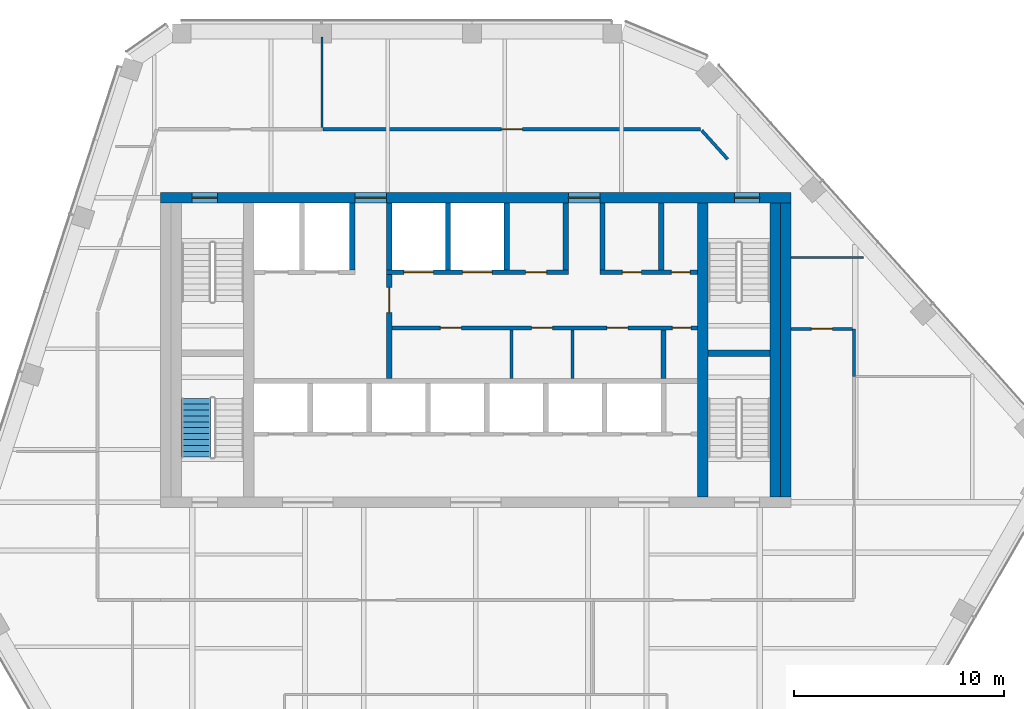
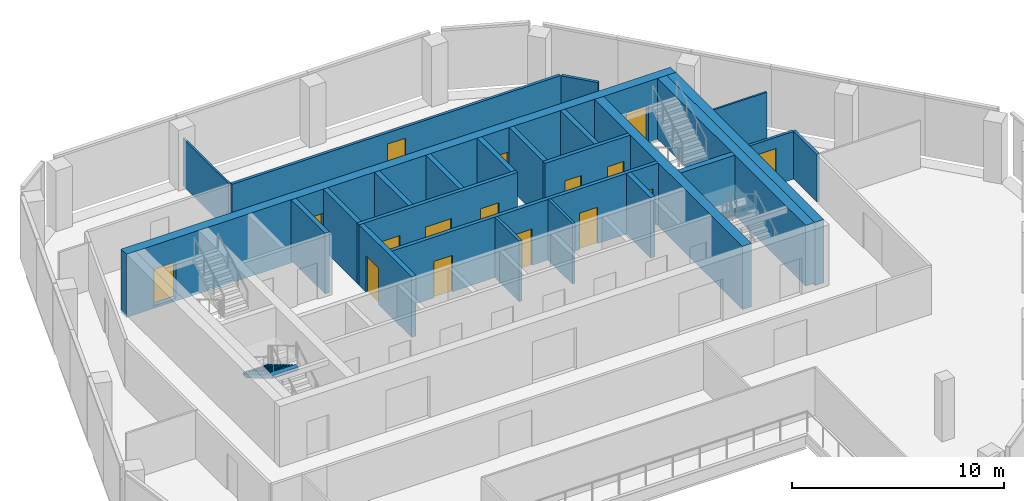
# One storey, part 9 of 15: 25 walls, 16 doors, 1 stair flight, 16 openings, 1 element without a shape of its own.
"""IFC4 building model written with IfcOpenShell, lengths in metres."""

from ifc_helpers import new_model, si_unit, direction, frame, frame_2d, origin, place, context, subcontext, project, spatial, polyline, rectangle, outline, extrude, material, layer, layer_set, type_object, element, fill, aggregate, save


model = new_model("IFC4")

# Units and contexts
model_context = context("Model", 3, precision=1e-05, world=origin(), true_north=direction((0.0, 1.0)))
body_context = subcontext(model_context, "Body", "Model", "MODEL_VIEW")
ifc_project = project(units=[si_unit("LENGTHUNIT", "METRE"), si_unit("AREAUNIT", "SQUARE_METRE"), si_unit("VOLUMEUNIT", "CUBIC_METRE"), si_unit("PLANEANGLEUNIT", "RADIAN"), si_unit("MASSUNIT", "GRAM", prefix="KILO")], contexts=[model_context])

# Site, building, storey
site_placement = place(None, origin())
site = spatial("IfcSite", under=ifc_project, at=site_placement, CompositionType="ELEMENT")
building_placement = place(site_placement, origin())
building = spatial("IfcBuilding", under=site, at=building_placement, Name="Isthmus Gate Tower", CompositionType="ELEMENT")
storey_placement = place(building_placement, frame((0.0, 0.0, 293.800048828125)))
storey = spatial("IfcBuildingStorey", under=building, at=storey_placement, Name="L75", CompositionType="ELEMENT", Elevation=293.800048828125)

# Wall
ifc_material_1 = material(Name="Gypsum board on steel studs, fire-rated", Category="steel")
ifc_layer_1 = layer(ifc_material_1, 0.14990234375)
ifc_layer_set_1 = layer_set([ifc_layer_1], Name="CORRIDOR WALL 150 60 MIN")
wall_type_1 = type_object("IfcWallType", Name="CORRIDOR WALL 150 60 MIN", PredefinedType="PARTITIONING", material=ifc_layer_set_1)
wall_1_placement = place(storey_placement, frame((18.0, 8.5, 0.0), z_axis=(0.0, 0.0, 1.0), x_axis=(0.0, -1.0, 0.0)))
element("IfcWall", 1, at=wall_1_placement, inside=storey, type_object=wall_type_1, Name="L75 Corridor Wall 150 60 Min", PredefinedType="PARTITIONING", context=body_context, shape_type="SweptSolid", body=[
    extrude(rectangle(XDim=2.262939453125, YDim=0.14990234375, at=frame_2d((1.13134765625, 0.0))), origin(), (0.0, 0.0, 1.0), 2.750732421875),
])

# Wall, opening, door
wall_2_placement = place(storey_placement, frame((-7.260009765625, 18.0, 0.0), z_axis=(0.0, 0.0, 1.0), x_axis=(1.0, 0.0, 0.0)))
wall_2 = element("IfcWall", 2, at=wall_2_placement, inside=storey, type_object=wall_type_1, Name="L75 Corridor Wall 150 60 Min", PredefinedType="PARTITIONING", context=body_context, shape_type="SweptSolid", body=[
    extrude(rectangle(XDim=17.9619140625, YDim=0.14990234375, at=frame_2d((8.98095703125, 0.0))), origin(), (0.0, 0.0, 1.0), 2.750732421875),
])
opening_1_placement = place(wall_2_placement, frame((8.48095703125, 0.0, 0.0)))
opening_1 = element("IfcOpeningElement", 3, at=opening_1_placement, cuts=wall_2, Name="Opening DT-T6D-02", PredefinedType="OPENING", context=body_context, shape_type="SweptSolid", body=[
    extrude(rectangle(XDim=1.0, YDim=2.10009765625, at=frame_2d((0.5, 1.050048828125))), frame((0.0, 0.0849609375, 0.0), z_axis=(0.0, -1.0, 0.0), x_axis=(1.0, 0.0, 0.0)), (0.0, 0.0, 1.0), 0.169921875),
])
ifc_material_2 = material(Name="Solid core timber door leaf, fire-rated", Category="wood")
door_type_1 = type_object("IfcDoorType", Name="FIRE DOOR ROOM 1000 X 2100 60 MIN", OperationType="SINGLE_SWING_LEFT", PredefinedType="DOOR", material=ifc_material_2)
door_1_placement = place(opening_1_placement, origin())
door_1 = element("IfcDoor", 4, at=door_1_placement, inside=storey, type_object=door_type_1, Name="L75 room door", OperationType="SINGLE_SWING_RIGHT", OverallHeight=2.10009765625, OverallWidth=1.0, PredefinedType="DOOR", context=body_context, shape_type="SweptSolid", body=[
    extrude(rectangle(XDim=1.0, YDim=2.10009765625, at=frame_2d((0.5, 1.050048828125))), frame((0.0, 0.02490234375, 0.0), z_axis=(0.0, -1.0, 0.0), x_axis=(1.0, 0.0, 0.0)), (0.0, 0.0, 1.0), 0.050048828125),
])
fill(opening_1, door_1)

# Wall
wall_3_placement = place(storey_placement, frame((10.752197265625, 17.9443359375, 0.0), z_axis=(0.0, 0.0, 1.0), x_axis=(0.669074609711, -0.743195241266, 0.0)))
element("IfcWall", 5, at=wall_3_placement, inside=storey, type_object=wall_type_1, Name="L75 Corridor Wall 150 60 Min", PredefinedType="PARTITIONING", context=body_context, shape_type="SweptSolid", body=[
    extrude(rectangle(XDim=1.84130859375, YDim=0.14990234375, at=frame_2d((0.920654296875, 0.0))), origin(), (0.0, 0.0, 1.0), 2.750732421875),
])

# Wall, opening, door
wall_4_placement = place(storey_placement, frame((15.0, 8.5, 0.0), z_axis=(0.0, 0.0, 1.0), x_axis=(1.0, 0.0, 0.0)))
wall_4 = element("IfcWall", 6, at=wall_4_placement, inside=storey, type_object=wall_type_1, Name="L75 Corridor Wall 150 60 Min", PredefinedType="PARTITIONING", context=body_context, shape_type="SweptSolid", body=[
    extrude(rectangle(XDim=2.925048828125, YDim=0.14990234375, at=frame_2d((1.46240234375, 0.0))), origin(), (0.0, 0.0, 1.0), 2.750732421875),
])
opening_2_placement = place(wall_4_placement, frame((0.96240234375, 0.0, 0.0)))
opening_2 = element("IfcOpeningElement", 7, at=opening_2_placement, cuts=wall_4, Name="Opening DT-T6D-04", PredefinedType="OPENING", context=body_context, shape_type="SweptSolid", body=[
    extrude(rectangle(XDim=1.0, YDim=2.10009765625, at=frame_2d((0.5, 1.050048828125))), frame((0.0, 0.0849609375, 0.0), z_axis=(0.0, -1.0, 0.0), x_axis=(1.0, 0.0, 0.0)), (0.0, 0.0, 1.0), 0.169921875),
])
door_2_placement = place(opening_2_placement, origin())
door_2 = element("IfcDoor", 8, at=door_2_placement, inside=storey, type_object=door_type_1, Name="L75 room door", OperationType="SINGLE_SWING_RIGHT", OverallHeight=2.10009765625, OverallWidth=1.0, PredefinedType="DOOR", context=body_context, shape_type="SweptSolid", body=[
    extrude(rectangle(XDim=1.0, YDim=2.10009765625, at=frame_2d((0.5, 1.050048828125))), frame((0.0, 0.02490234375, 0.0), z_axis=(0.0, -1.0, 0.0), x_axis=(1.0, 0.0, 0.0)), (0.0, 0.0, 1.0), 0.050048828125),
])
fill(opening_2, door_2)

ifc_material_3 = material(Name="Fire-rated blockwork masonry, 15 MPa", Category="masonry")
ifc_layer_2 = layer(ifc_material_3, 0.25)
ifc_layer_set_2 = layer_set([ifc_layer_2], Name="FIRE-FIGHTING LOBBY WALL 250 90 MIN")
wall_type_2 = type_object("IfcWallType", Name="FIRE-FIGHTING LOBBY WALL 250 90 MIN", PredefinedType="PARTITIONING", material=ifc_layer_set_2)
wall_5_placement = place(storey_placement, frame((-4.125, 6.14990234375, 0.0), z_axis=(0.0, 0.0, 1.0), x_axis=(0.0, 1.0, 0.0)))
wall_5 = element("IfcWall", 9, at=wall_5_placement, inside=storey, type_object=wall_type_2, Name="L75 FIRE-FIGHTING LOBBY WALL 250 90 MIN", PredefinedType="PARTITIONING", context=body_context, shape_type="SweptSolid", body=[
    extrude(rectangle(XDim=4.9501953125, YDim=0.25, at=frame_2d((2.47509765625, 0.0))), origin(), (0.0, 0.0, 1.0), 3.5),
])
opening_3_placement = place(wall_5_placement, frame((3.125, 0.0, 0.0)))
opening_3 = element("IfcOpeningElement", 10, at=opening_3_placement, cuts=wall_5, Name="Opening DC-A17-01", PredefinedType="OPENING", context=body_context, shape_type="SweptSolid", body=[
    extrude(rectangle(XDim=1.199951171875, YDim=2.10009765625, at=frame_2d((0.60009765625, 1.050048828125))), frame((0.0, 0.135009765625, 0.0), z_axis=(0.0, -1.0, 0.0), x_axis=(1.0, 0.0, 0.0)), (0.0, 0.0, 1.0), 0.27001953125),
])
ifc_material_4 = material(Name="Steel door leaf, fire-rated", Category="steel")
door_type_2 = type_object("IfcDoorType", Name="LOBBY FIRE DOOR 1200 X 2100 90 MIN", OperationType="DOUBLE_DOOR_SINGLE_SWING", PredefinedType="DOOR", material=ifc_material_4)
door_3_placement = place(opening_3_placement, origin())
door_3 = element("IfcDoor", 11, at=door_3_placement, inside=storey, type_object=door_type_2, Name="Fire-fighting Lobby Door", OperationType="SINGLE_SWING_LEFT", OverallHeight=2.10009765625, OverallWidth=1.199951171875, PredefinedType="DOOR", context=body_context, shape_type="SweptSolid", body=[
    extrude(rectangle(XDim=1.199951171875, YDim=2.10009765625, at=frame_2d((0.60009765625, 1.050048828125))), frame((0.0, 0.02490234375, 0.0), z_axis=(0.0, -1.0, 0.0), x_axis=(1.0, 0.0, 0.0)), (0.0, 0.0, 1.0), 0.050048828125),
])
fill(opening_3, door_3)

# Wall
ifc_material_5 = material(Name="Concrete f'c 50 MPa", Category="concrete")
ifc_layer_3 = layer(ifc_material_5, 0.5)
ifc_layer_set_3 = layer_set([ifc_layer_3], Name="RC CORE SPINE WALL 500 F'C 50")
wall_type_3 = type_object("IfcWallType", Name="RC CORE SPINE WALL 500 F'C 50", PredefinedType="SOLIDWALL", material=ifc_layer_set_3)
wall_6_placement = place(storey_placement, frame((10.800048828125, 0.5, -0.150146484375), z_axis=(0.0, 0.0, 1.0), x_axis=(0.0, 1.0, 0.0)))
element("IfcWall", 12, at=wall_6_placement, inside=storey, type_object=wall_type_3, Name="str-corewall-L75-SPE", PredefinedType="SOLIDWALL", context=body_context, shape_type="SweptSolid", body=[
    extrude(rectangle(XDim=14.0, YDim=0.5, at=frame_2d((7.0, 0.0))), origin(), (0.0, 0.0, 1.0), 3.650146484375),
])

# Wall, openings, doors
ifc_material_6 = material(Name="Concrete f'c 50 MPa", Category="concrete")
ifc_layer_4 = layer(ifc_material_6, 0.5)
ifc_layer_set_4 = layer_set([ifc_layer_4], Name="RC CORE WALL 500 F'C 50")
wall_type_4 = type_object("IfcWallType", Name="RC CORE WALL 500 F'C 50", PredefinedType="SOLIDWALL", material=ifc_layer_set_4)
wall_7_placement = place(storey_placement, frame((-15.0, 14.75, -0.150146484375), z_axis=(0.0, 0.0, 1.0), x_axis=(1.0, 0.0, 0.0)))
wall_7 = element("IfcWall", 13, at=wall_7_placement, inside=storey, type_object=wall_type_4, Name="str-corewall-L75-N", PredefinedType="SOLIDWALL", context=body_context, shape_type="SweptSolid", body=[
    extrude(rectangle(XDim=30.0, YDim=0.5, at=frame_2d((15.0, 0.0))), origin(), (0.0, 0.0, 1.0), 3.650146484375),
])
opening_4_placement = place(wall_7_placement, frame((9.25, 0.0, 0.14990234375)))
opening_4 = element("IfcOpeningElement", 14, at=opening_4_placement, cuts=wall_7, Name="Opening DC-A17-13", PredefinedType="OPENING", context=body_context, shape_type="SweptSolid", body=[
    extrude(rectangle(XDim=1.5, YDim=2.10009765625, at=frame_2d((0.75, 1.050048828125))), frame((0.0, 0.260009765625, 0.0), z_axis=(0.0, -1.0, 0.0), x_axis=(1.0, 0.0, 0.0)), (0.0, 0.0, 1.0), 0.52001953125),
])
opening_5_placement = place(wall_7_placement, frame((19.39990234375, 0.0, 0.14990234375)))
opening_5 = element("IfcOpeningElement", 15, at=opening_5_placement, cuts=wall_7, Name="Opening DC-A17-14", PredefinedType="OPENING", context=body_context, shape_type="SweptSolid", body=[
    extrude(rectangle(XDim=1.5, YDim=2.10009765625, at=frame_2d((0.75, 1.050048828125))), frame((0.0, 0.260009765625, 0.0), z_axis=(0.0, -1.0, 0.0), x_axis=(1.0, 0.0, 0.0)), (0.0, 0.0, 1.0), 0.52001953125),
])
opening_6_placement = place(wall_7_placement, frame((1.5, 0.0, 0.14990234375)))
opening_6 = element("IfcOpeningElement", 16, at=opening_6_placement, cuts=wall_7, Name="Opening DC-A17-15", PredefinedType="OPENING", context=body_context, shape_type="SweptSolid", body=[
    extrude(rectangle(XDim=1.199951171875, YDim=2.10009765625, at=frame_2d((0.60009765625, 1.050048828125))), frame((0.0, 0.260009765625, 0.0), z_axis=(0.0, -1.0, 0.0), x_axis=(1.0, 0.0, 0.0)), (0.0, 0.0, 1.0), 0.52001953125),
])
opening_7_placement = place(wall_7_placement, frame((27.300048828125, 0.0, 0.14990234375)))
opening_7 = element("IfcOpeningElement", 17, at=opening_7_placement, cuts=wall_7, Name="Opening DC-A17-16", PredefinedType="OPENING", context=body_context, shape_type="SweptSolid", body=[
    extrude(rectangle(XDim=1.199951171875, YDim=2.10009765625, at=frame_2d((0.60009765625, 1.050048828125))), frame((0.0, 0.260009765625, 0.0), z_axis=(0.0, -1.0, 0.0), x_axis=(1.0, 0.0, 0.0)), (0.0, 0.0, 1.0), 0.52001953125),
])
ifc_material_7 = material(Name="Steel door leaf, fire-rated", Category="steel")
door_type_3 = type_object("IfcDoorType", Name="LOBBY FIRE DOOR 1500 X 2100 60 MIN", OperationType="DOUBLE_DOOR_SINGLE_SWING", PredefinedType="DOOR", material=ifc_material_7)
door_4_placement = place(opening_5_placement, origin())
door_4 = element("IfcDoor", 18, at=door_4_placement, inside=storey, type_object=door_type_3, Name="Lobby Door PN-E", OperationType="DOUBLE_DOOR_SINGLE_SWING", OverallHeight=2.10009765625, OverallWidth=1.5, PredefinedType="DOOR", context=body_context, shape_type="SweptSolid", body=[
    extrude(rectangle(XDim=1.5, YDim=2.10009765625, at=frame_2d((0.75, 1.050048828125))), frame((0.0, 0.02490234375, 0.0), z_axis=(0.0, -1.0, 0.0), x_axis=(1.0, 0.0, 0.0)), (0.0, 0.0, 1.0), 0.050048828125),
])
fill(opening_5, door_4)
ifc_material_8 = material(Name="Steel door leaf, fire-rated", Category="steel")
door_type_4 = type_object("IfcDoorType", Name="LOBBY FIRE DOOR 1500 X 2100 90 MIN", OperationType="DOUBLE_DOOR_SINGLE_SWING", PredefinedType="DOOR", material=ifc_material_8)
door_5_placement = place(opening_4_placement, origin())
door_5 = element("IfcDoor", 19, at=door_5_placement, inside=storey, type_object=door_type_4, Name="Lobby Door PN-W", OperationType="DOUBLE_DOOR_SINGLE_SWING", OverallHeight=2.10009765625, OverallWidth=1.5, PredefinedType="DOOR", context=body_context, shape_type="SweptSolid", body=[
    extrude(rectangle(XDim=1.5, YDim=2.10009765625, at=frame_2d((0.75, 1.050048828125))), frame((0.0, 0.02490234375, 0.0), z_axis=(0.0, -1.0, 0.0), x_axis=(1.0, 0.0, 0.0)), (0.0, 0.0, 1.0), 0.050048828125),
])
fill(opening_4, door_5)
ifc_material_9 = material(Name="Steel door leaf, fire-rated", Category="steel")
door_type_5 = type_object("IfcDoorType", Name="STAIR FIRE DOOR 1200 X 2100 90 MIN", OperationType="SINGLE_SWING_LEFT", PredefinedType="DOOR", material=ifc_material_9)
door_6_placement = place(opening_6_placement, origin())
door_6 = element("IfcDoor", 20, at=door_6_placement, inside=storey, type_object=door_type_5, Name="Exit Stair 1 Door", OperationType="SINGLE_SWING_RIGHT", OverallHeight=2.10009765625, OverallWidth=1.199951171875, PredefinedType="DOOR", context=body_context, shape_type="SweptSolid", body=[
    extrude(rectangle(XDim=1.199951171875, YDim=2.10009765625, at=frame_2d((0.60009765625, 1.050048828125))), frame((0.0, 0.02490234375, 0.0), z_axis=(0.0, -1.0, 0.0), x_axis=(1.0, 0.0, 0.0)), (0.0, 0.0, 1.0), 0.050048828125),
])
fill(opening_6, door_6)
door_7_placement = place(opening_7_placement, origin())
door_7 = element("IfcDoor", 21, at=door_7_placement, inside=storey, type_object=door_type_5, Name="Exit Stair 2 Door", OperationType="SINGLE_SWING_LEFT", OverallHeight=2.10009765625, OverallWidth=1.199951171875, PredefinedType="DOOR", context=body_context, shape_type="SweptSolid", body=[
    extrude(rectangle(XDim=1.199951171875, YDim=2.10009765625, at=frame_2d((0.60009765625, 1.050048828125))), frame((0.0, 0.02490234375, 0.0), z_axis=(0.0, -1.0, 0.0), x_axis=(1.0, 0.0, 0.0)), (0.0, 0.0, 1.0), 0.050048828125),
])
fill(opening_7, door_7)

# Walls
wall_8_placement = place(storey_placement, frame((14.75, 0.5, -0.150146484375), z_axis=(0.0, 0.0, 1.0), x_axis=(0.0, 1.0, 0.0)))
element("IfcWall", 22, at=wall_8_placement, inside=storey, type_object=wall_type_4, Name="str-corewall-L75-E", PredefinedType="SOLIDWALL", context=body_context, shape_type="SweptSolid", body=[
    extrude(rectangle(XDim=14.0, YDim=0.5, at=frame_2d((7.0, 0.0))), origin(), (0.0, 0.0, 1.0), 3.650146484375),
])
ifc_material_10 = material(Name="Gypsum board on steel studs, fire-rated", Category="steel")
ifc_layer_5 = layer(ifc_material_10, 0.10009765625)
ifc_layer_set_5 = layer_set([ifc_layer_5], Name="ROOM PARTITION 100 30 MIN")
wall_type_5 = type_object("IfcWallType", Name="ROOM PARTITION 100 30 MIN", PredefinedType="PARTITIONING", material=ifc_layer_set_5)
wall_9_placement = place(storey_placement, frame((-7.31005859375, 18.074951171875, 0.0), z_axis=(0.0, 0.0, 1.0), x_axis=(0.0, 1.0, 0.0)))
element("IfcWall", 23, at=wall_9_placement, inside=storey, type_object=wall_type_5, Name="L75 Room Partition 100 30 Min", PredefinedType="PARTITIONING", context=body_context, shape_type="SweptSolid", body=[
    extrude(rectangle(XDim=4.324951171875, YDim=0.10009765625, at=frame_2d((2.16259765625, 0.0))), origin(), (0.0, 0.0, 1.0), 2.750732421875),
])
wall_10_placement = place(storey_placement, frame((15.0, 11.907958984375, 0.0), z_axis=(0.0, 0.0, 1.0), x_axis=(1.0, 0.0, 0.0)))
element("IfcWall", 24, at=wall_10_placement, inside=storey, type_object=wall_type_5, Name="L75 Room Partition 100 30 Min", PredefinedType="PARTITIONING", context=body_context, shape_type="SweptSolid", body=[
    extrude(rectangle(XDim=3.443115234375, YDim=0.10009765625, at=frame_2d((1.7216796875, 0.0))), origin(), (0.0, 0.0, 1.0), 2.750732421875),
])
ifc_material_11 = material(Name="Gypsum board on steel studs, fire-rated", Category="steel")
ifc_layer_6 = layer(ifc_material_11, 0.14990234375)
ifc_layer_set_6 = layer_set([ifc_layer_6], Name="ROOM PARTITION 150 60 MIN")
wall_type_6 = type_object("IfcWallType", Name="ROOM PARTITION 150 60 MIN", PredefinedType="PARTITIONING", material=ifc_layer_set_6)
for number, where, z_axis, x_axis, name in (
    (25, (1.699951171875, 6.14990234375, 0.0), (0.0, 0.0, 1.0), (0.0, 1.0, 0.0), "L75 ROOM PARTITION 150 60 MIN"),
    (26, (4.60009765625, 6.14990234375, 0.0), (0.0, 0.0, 1.0), (0.0, 1.0, 0.0), "L75 ROOM PARTITION 150 60 MIN"),
):
    element("IfcWall", number, at=place(storey_placement, frame(where, z_axis=z_axis, x_axis=x_axis)), inside=storey, type_object=wall_type_6, Name=name, PredefinedType="PARTITIONING", context=body_context, shape_type="SweptSolid", body=[
        extrude(rectangle(XDim=2.300048828125, YDim=0.14990234375, at=frame_2d((1.14990234375, 0.0))), origin(), (0.0, 0.0, 1.0), 3.5),
    ])

# Wall, openings, doors
ifc_material_12 = material(Name="Fire-rated blockwork masonry, 15 MPa", Category="masonry")
ifc_layer_7 = layer(ifc_material_12, 0.199951171875)
ifc_layer_set_7 = layer_set([ifc_layer_7], Name="SHAFT FRONT WALL 200 120 MIN")
wall_type_7 = type_object("IfcWallType", Name="SHAFT FRONT WALL 200 120 MIN", PredefinedType="PARTITIONING", material=ifc_layer_set_7)
wall_11_placement = place(storey_placement, frame((-4.125, 8.550048828125, 0.0), z_axis=(0.0, 0.0, 1.0), x_axis=(1.0, 0.0, 0.0)))
wall_11 = element("IfcWall", 27, at=wall_11_placement, inside=storey, type_object=wall_type_7, Name="L75 SHAFT FRONT WALL 200 120 MIN", PredefinedType="PARTITIONING", context=body_context, shape_type="SweptSolid", body=[
    extrude(rectangle(XDim=14.675048828125, YDim=0.199951171875, at=frame_2d((7.33740234375, 0.0))), origin(), (0.0, 0.0, 1.0), 3.5),
])
opening_8_placement = place(wall_11_placement, frame((2.4375, 0.0, 0.0)))
opening_8 = element("IfcOpeningElement", 28, at=opening_8_placement, cuts=wall_11, Name="Opening DC-A17-03", PredefinedType="OPENING", context=body_context, shape_type="SweptSolid", body=[
    extrude(rectangle(XDim=1.0, YDim=2.10009765625, at=frame_2d((0.5, 1.050048828125))), frame((0.0, 0.10986328125, 0.0), z_axis=(0.0, -1.0, 0.0), x_axis=(1.0, 0.0, 0.0)), (0.0, 0.0, 1.0), 0.219970703125),
])
opening_9_placement = place(wall_11_placement, frame((6.77490234375, 0.0, 0.0)))
opening_9 = element("IfcOpeningElement", 29, at=opening_9_placement, cuts=wall_11, Name="Opening DC-A17-04", PredefinedType="OPENING", context=body_context, shape_type="SweptSolid", body=[
    extrude(rectangle(XDim=1.0, YDim=2.10009765625, at=frame_2d((0.5, 1.050048828125))), frame((0.0, 0.10986328125, 0.0), z_axis=(0.0, -1.0, 0.0), x_axis=(1.0, 0.0, 0.0)), (0.0, 0.0, 1.0), 0.219970703125),
])
opening_10_placement = place(wall_11_placement, frame((10.362548828125, 0.0, 0.0)))
opening_10 = element("IfcOpeningElement", 30, at=opening_10_placement, cuts=wall_11, Name="Opening DC-A17-05", PredefinedType="OPENING", context=body_context, shape_type="SweptSolid", body=[
    extrude(rectangle(XDim=1.0, YDim=2.10009765625, at=frame_2d((0.5, 1.050048828125))), frame((0.0, 0.10986328125, 0.0), z_axis=(0.0, -1.0, 0.0), x_axis=(1.0, 0.0, 0.0)), (0.0, 0.0, 1.0), 0.219970703125),
])
opening_11_placement = place(wall_11_placement, frame((13.47509765625, 0.0, 0.0)))
opening_11 = element("IfcOpeningElement", 31, at=opening_11_placement, cuts=wall_11, Name="Opening DC-A17-06", PredefinedType="OPENING", context=body_context, shape_type="SweptSolid", body=[
    extrude(rectangle(XDim=0.89990234375, YDim=2.10009765625, at=frame_2d((0.449951171875, 1.050048828125))), frame((0.0, 0.10986328125, 0.0), z_axis=(0.0, -1.0, 0.0), x_axis=(1.0, 0.0, 0.0)), (0.0, 0.0, 1.0), 0.219970703125),
])
ifc_material_13 = material(Name="Steel door leaf, fire-rated", Category="steel")
door_type_6 = type_object("IfcDoorType", Name="FIRE DOOR 1000 X 2100 60 MIN", OperationType="SINGLE_SWING_LEFT", PredefinedType="DOOR", material=ifc_material_13)
door_8_placement = place(opening_8_placement, origin())
door_8 = element("IfcDoor", 32, at=door_8_placement, inside=storey, type_object=door_type_6, Name="WC Men Door", OperationType="SINGLE_SWING_LEFT", OverallHeight=2.10009765625, OverallWidth=1.0, PredefinedType="DOOR", context=body_context, shape_type="SweptSolid", body=[
    extrude(rectangle(XDim=1.0, YDim=2.10009765625, at=frame_2d((0.5, 1.050048828125))), frame((0.0, 0.02490234375, 0.0), z_axis=(0.0, -1.0, 0.0), x_axis=(1.0, 0.0, 0.0)), (0.0, 0.0, 1.0), 0.050048828125),
])
fill(opening_8, door_8)
door_9_placement = place(opening_9_placement, origin())
door_9 = element("IfcDoor", 33, at=door_9_placement, inside=storey, type_object=door_type_6, Name="Accessible WC Door", OperationType="SINGLE_SWING_RIGHT", OverallHeight=2.10009765625, OverallWidth=1.0, PredefinedType="DOOR", context=body_context, shape_type="SweptSolid", body=[
    extrude(rectangle(XDim=1.0, YDim=2.10009765625, at=frame_2d((0.5, 1.050048828125))), frame((0.0, 0.02490234375, 0.0), z_axis=(0.0, -1.0, 0.0), x_axis=(1.0, 0.0, 0.0)), (0.0, 0.0, 1.0), 0.050048828125),
])
fill(opening_9, door_9)
door_10_placement = place(opening_10_placement, origin())
door_10 = element("IfcDoor", 34, at=door_10_placement, inside=storey, type_object=door_type_6, Name="WC Women Door", OperationType="SINGLE_SWING_LEFT", OverallHeight=2.10009765625, OverallWidth=1.0, PredefinedType="DOOR", context=body_context, shape_type="SweptSolid", body=[
    extrude(rectangle(XDim=1.0, YDim=2.10009765625, at=frame_2d((0.5, 1.050048828125))), frame((0.0, 0.02490234375, 0.0), z_axis=(0.0, -1.0, 0.0), x_axis=(1.0, 0.0, 0.0)), (0.0, 0.0, 1.0), 0.050048828125),
])
fill(opening_10, door_10)
ifc_material_14 = material(Name="Steel door leaf, fire-rated", Category="steel")
door_type_7 = type_object("IfcDoorType", Name="RISER FIRE DOOR 900 X 2100 90 MIN", OperationType="SINGLE_SWING_LEFT", PredefinedType="DOOR", material=ifc_material_14)
door_11_placement = place(opening_11_placement, origin())
door_11 = element("IfcDoor", 35, at=door_11_placement, inside=storey, type_object=door_type_7, Name="Riser Door", OperationType="SINGLE_SWING_RIGHT", OverallHeight=2.10009765625, OverallWidth=0.89990234375, PredefinedType="DOOR", context=body_context, shape_type="SweptSolid", body=[
    extrude(rectangle(XDim=0.89990234375, YDim=2.10009765625, at=frame_2d((0.449951171875, 1.050048828125))), frame((0.0, 0.02490234375, 0.0), z_axis=(0.0, -1.0, 0.0), x_axis=(1.0, 0.0, 0.0)), (0.0, 0.0, 1.0), 0.050048828125),
])
fill(opening_11, door_11)

wall_12_placement = place(storey_placement, frame((-4.25, 11.199951171875, 0.0), z_axis=(0.0, 0.0, 1.0), x_axis=(1.0, 0.0, 0.0)))
wall_12 = element("IfcWall", 36, at=wall_12_placement, inside=storey, type_object=wall_type_7, Name="L75 SHAFT FRONT WALL 200 120 MIN", PredefinedType="PARTITIONING", context=body_context, shape_type="SweptSolid", body=[
    extrude(rectangle(XDim=8.64990234375, YDim=0.199951171875, at=frame_2d((4.324951171875, 0.0))), origin(), (0.0, 0.0, 1.0), 3.5),
])
opening_12_placement = place(wall_12_placement, frame((0.824951171875, 0.0, 0.0)))
opening_12 = element("IfcOpeningElement", 37, at=opening_12_placement, cuts=wall_12, Name="Opening LD-LV1", PredefinedType="OPENING", context=body_context, shape_type="SweptSolid", body=[
    extrude(rectangle(XDim=1.39990234375, YDim=2.10009765625, at=frame_2d((0.699951171875, 1.050048828125))), frame((0.0, 0.10986328125, 0.0), z_axis=(0.0, -1.0, 0.0), x_axis=(1.0, 0.0, 0.0)), (0.0, 0.0, 1.0), 0.219970703125),
])
opening_13_placement = place(wall_12_placement, frame((3.625, 0.0, 0.0)))
opening_13 = element("IfcOpeningElement", 38, at=opening_13_placement, cuts=wall_12, Name="Opening LD-LV2", PredefinedType="OPENING", context=body_context, shape_type="SweptSolid", body=[
    extrude(rectangle(XDim=1.39990234375, YDim=2.10009765625, at=frame_2d((0.699951171875, 1.050048828125))), frame((0.0, 0.10986328125, 0.0), z_axis=(0.0, -1.0, 0.0), x_axis=(1.0, 0.0, 0.0)), (0.0, 0.0, 1.0), 0.219970703125),
])
opening_14_placement = place(wall_12_placement, frame((6.625, 0.0, 0.0)))
opening_14 = element("IfcOpeningElement", 39, at=opening_14_placement, cuts=wall_12, Name="Opening DC-A17-07", PredefinedType="OPENING", context=body_context, shape_type="SweptSolid", body=[
    extrude(rectangle(XDim=1.0, YDim=2.10009765625, at=frame_2d((0.5, 1.050048828125))), frame((0.0, 0.10986328125, 0.0), z_axis=(0.0, -1.0, 0.0), x_axis=(1.0, 0.0, 0.0)), (0.0, 0.0, 1.0), 0.219970703125),
])
door_12_placement = place(opening_14_placement, origin())
door_12 = element("IfcDoor", 40, at=door_12_placement, inside=storey, type_object=door_type_6, Name="Pantry Door", OperationType="SINGLE_SWING_LEFT", OverallHeight=2.10009765625, OverallWidth=1.0, PredefinedType="DOOR", context=body_context, shape_type="SweptSolid", body=[
    extrude(rectangle(XDim=1.0, YDim=2.10009765625, at=frame_2d((0.5, 1.050048828125))), frame((0.0, 0.02490234375, 0.0), z_axis=(0.0, -1.0, 0.0), x_axis=(1.0, 0.0, 0.0)), (0.0, 0.0, 1.0), 0.050048828125),
])
fill(opening_14, door_12)
ifc_material_15 = material(Name="Stainless steel sliding leaf", Category="steel")
door_type_8 = type_object("IfcDoorType", Name="LIFT LANDING FIRE DOOR 1400 X 2100 90 MIN", OperationType="DOUBLE_DOOR_SLIDING", PredefinedType="DOOR", material=ifc_material_15)
door_13_placement = place(opening_12_placement, origin())
door_13 = element("IfcDoor", 41, at=door_13_placement, inside=storey, type_object=door_type_8, Name="Lift Landing Door LV1", OperationType="DOUBLE_DOOR_SLIDING", OverallHeight=2.10009765625, OverallWidth=1.39990234375, PredefinedType="DOOR", context=body_context, shape_type="SweptSolid", body=[
    extrude(rectangle(XDim=1.39990234375, YDim=2.10009765625, at=frame_2d((0.699951171875, 1.050048828125))), frame((0.0, 0.02490234375, 0.0), z_axis=(0.0, -1.0, 0.0), x_axis=(1.0, 0.0, 0.0)), (0.0, 0.0, 1.0), 0.050048828125),
])
fill(opening_12, door_13)
door_14_placement = place(opening_13_placement, origin())
door_14 = element("IfcDoor", 42, at=door_14_placement, inside=storey, type_object=door_type_8, Name="Lift Landing Door LV2", OperationType="DOUBLE_DOOR_SLIDING", OverallHeight=2.10009765625, OverallWidth=1.39990234375, PredefinedType="DOOR", context=body_context, shape_type="SweptSolid", body=[
    extrude(rectangle(XDim=1.39990234375, YDim=2.10009765625, at=frame_2d((0.699951171875, 1.050048828125))), frame((0.0, 0.02490234375, 0.0), z_axis=(0.0, -1.0, 0.0), x_axis=(1.0, 0.0, 0.0)), (0.0, 0.0, 1.0), 0.050048828125),
])
fill(opening_13, door_14)

wall_13_placement = place(storey_placement, frame((5.89990234375, 11.199951171875, 0.0), z_axis=(0.0, 0.0, 1.0), x_axis=(1.0, 0.0, 0.0)))
wall_13 = element("IfcWall", 43, at=wall_13_placement, inside=storey, type_object=wall_type_7, Name="L75 SHAFT FRONT WALL 200 120 MIN", PredefinedType="PARTITIONING", context=body_context, shape_type="SweptSolid", body=[
    extrude(rectangle(XDim=4.650146484375, YDim=0.199951171875, at=frame_2d((2.3251953125, 0.0))), origin(), (0.0, 0.0, 1.0), 3.5),
])
opening_15_placement = place(wall_13_placement, frame((1.074951171875, 0.0, 0.0)))
opening_15 = element("IfcOpeningElement", 44, at=opening_15_placement, cuts=wall_13, Name="Opening DC-A17-08", PredefinedType="OPENING", context=body_context, shape_type="SweptSolid", body=[
    extrude(rectangle(XDim=0.89990234375, YDim=2.10009765625, at=frame_2d((0.449951171875, 1.050048828125))), frame((0.0, 0.10986328125, 0.0), z_axis=(0.0, -1.0, 0.0), x_axis=(1.0, 0.0, 0.0)), (0.0, 0.0, 1.0), 0.219970703125),
])
opening_16_placement = place(wall_13_placement, frame((3.39990234375, 0.0, 0.0)))
opening_16 = element("IfcOpeningElement", 45, at=opening_16_placement, cuts=wall_13, Name="Opening DC-A17-09", PredefinedType="OPENING", context=body_context, shape_type="SweptSolid", body=[
    extrude(rectangle(XDim=0.89990234375, YDim=2.10009765625, at=frame_2d((0.449951171875, 1.050048828125))), frame((0.0, 0.10986328125, 0.0), z_axis=(0.0, -1.0, 0.0), x_axis=(1.0, 0.0, 0.0)), (0.0, 0.0, 1.0), 0.219970703125),
])
ifc_material_16 = material(Name="Steel door leaf, fire-rated", Category="steel")
door_type_9 = type_object("IfcDoorType", Name="FIRE DOOR 900 X 2100 60 MIN", OperationType="SINGLE_SWING_LEFT", PredefinedType="DOOR", material=ifc_material_16)
door_15_placement = place(opening_15_placement, origin())
door_15 = element("IfcDoor", 46, at=door_15_placement, inside=storey, type_object=door_type_9, Name="Cleaner Store Door", OperationType="SINGLE_SWING_RIGHT", OverallHeight=2.10009765625, OverallWidth=0.89990234375, PredefinedType="DOOR", context=body_context, shape_type="SweptSolid", body=[
    extrude(rectangle(XDim=0.89990234375, YDim=2.10009765625, at=frame_2d((0.449951171875, 1.050048828125))), frame((0.0, 0.02490234375, 0.0), z_axis=(0.0, -1.0, 0.0), x_axis=(1.0, 0.0, 0.0)), (0.0, 0.0, 1.0), 0.050048828125),
])
fill(opening_15, door_15)
door_16_placement = place(opening_16_placement, origin())
door_16 = element("IfcDoor", 47, at=door_16_placement, inside=storey, type_object=door_type_7, Name="Riser Door", OperationType="SINGLE_SWING_LEFT", OverallHeight=2.10009765625, OverallWidth=0.89990234375, PredefinedType="DOOR", context=body_context, shape_type="SweptSolid", body=[
    extrude(rectangle(XDim=0.89990234375, YDim=2.10009765625, at=frame_2d((0.449951171875, 1.050048828125))), frame((0.0, 0.02490234375, 0.0), z_axis=(0.0, -1.0, 0.0), x_axis=(1.0, 0.0, 0.0)), (0.0, 0.0, 1.0), 0.050048828125),
])
fill(opening_16, door_16)

# Walls
ifc_material_17 = material(Name="Fire-rated blockwork masonry, 15 MPa", Category="masonry")
ifc_layer_8 = layer(ifc_material_17, 0.25)
ifc_layer_set_8 = layer_set([ifc_layer_8], Name="SHAFT WALL 250 120 MIN")
wall_type_8 = type_object("IfcWallType", Name="SHAFT WALL 250 120 MIN", PredefinedType="PARTITIONING", material=ifc_layer_set_8)
wall_14_placement = place(storey_placement, frame((8.925048828125, 6.14990234375, 0.0), z_axis=(0.0, 0.0, 1.0), x_axis=(0.0, 1.0, 0.0)))
element("IfcWall", 48, at=wall_14_placement, inside=storey, type_object=wall_type_8, Name="L75 SHAFT WALL 250 120 MIN", PredefinedType="PARTITIONING", context=body_context, shape_type="SweptSolid", body=[
    extrude(rectangle(XDim=2.300048828125, YDim=0.25, at=frame_2d((1.14990234375, 0.0))), origin(), (0.0, 0.0, 1.0), 3.5),
])
for number, where, z_axis, x_axis, name in (
    (49, (-5.875, 11.300048828125, 0.0), (0.0, 0.0, 1.0), (0.0, 1.0, 0.0), "L75 SHAFT WALL 250 120 MIN"),
    (50, (-4.125, 11.300048828125, 0.0), (0.0, 0.0, 1.0), (0.0, 1.0, 0.0), "L75 SHAFT WALL 250 120 MIN"),
    (51, (-1.324951171875, 11.300048828125, 0.0), (0.0, 0.0, 1.0), (0.0, 1.0, 0.0), "L75 SHAFT WALL 250 120 MIN"),
    (52, (1.47509765625, 11.300048828125, 0.0), (0.0, 0.0, 1.0), (0.0, 1.0, 0.0), "L75 SHAFT WALL 250 120 MIN"),
    (53, (4.27490234375, 11.300048828125, 0.0), (0.0, 0.0, 1.0), (0.0, 1.0, 0.0), "L75 SHAFT WALL 250 120 MIN"),
    (54, (6.02490234375, 11.300048828125, 0.0), (0.0, 0.0, 1.0), (0.0, 1.0, 0.0), "L75 SHAFT WALL 250 120 MIN"),
    (55, (8.824951171875, 11.300048828125, 0.0), (0.0, 0.0, 1.0), (0.0, 1.0, 0.0), "L75 SHAFT WALL 250 120 MIN"),
):
    element("IfcWall", number, at=place(storey_placement, frame(where, z_axis=z_axis, x_axis=x_axis)), inside=storey, type_object=wall_type_8, Name=name, PredefinedType="PARTITIONING", context=body_context, shape_type="SweptSolid", body=[
        extrude(rectangle(XDim=3.199951171875, YDim=0.25, at=frame_2d((1.60009765625, 0.0))), origin(), (0.0, 0.0, 1.0), 3.5),
    ])
ifc_material_18 = material(Name="Concrete f'c 40 MPa", Category="concrete")
ifc_layer_9 = layer(ifc_material_18, 0.300048828125)
ifc_layer_set_9 = layer_set([ifc_layer_9], Name="STAIR ENCLOSURE WALL 300 180 MIN")
wall_type_9 = type_object("IfcWallType", Name="STAIR ENCLOSURE WALL 300 180 MIN", PredefinedType="SOLIDWALL", material=ifc_layer_set_9)
wall_15_placement = place(storey_placement, frame((11.050048828125, 7.35009765625, 0.0), z_axis=(0.0, 0.0, 1.0), x_axis=(1.0, 0.0, 0.0)))
element("IfcWall", 56, at=wall_15_placement, inside=storey, type_object=wall_type_9, Name="L75 STAIR ENCLOSURE WALL 300 180 MIN", PredefinedType="SOLIDWALL", context=body_context, shape_type="SweptSolid", body=[
    extrude(rectangle(XDim=2.949951171875, YDim=0.300048828125, at=frame_2d((1.47509765625, 0.0))), origin(), (0.0, 0.0, 1.0), 3.5),
])
ifc_material_19 = material(Name="Concrete f'c 40 MPa", Category="concrete")
ifc_layer_10 = layer(ifc_material_19, 0.5)
ifc_layer_set_10 = layer_set([ifc_layer_10], Name="STAIR ENCLOSURE WALL 500 180 MIN")
wall_type_10 = type_object("IfcWallType", Name="STAIR ENCLOSURE WALL 500 180 MIN", PredefinedType="SOLIDWALL", material=ifc_layer_set_10)
wall_16_placement = place(storey_placement, frame((14.25, 0.5, 0.0), z_axis=(0.0, 0.0, 1.0), x_axis=(0.0, 1.0, 0.0)))
element("IfcWall", 57, at=wall_16_placement, inside=storey, type_object=wall_type_10, Name="L75 STAIR ENCLOSURE WALL 500 180 MIN", PredefinedType="SOLIDWALL", context=body_context, shape_type="SweptSolid", body=[
    extrude(rectangle(XDim=14.0, YDim=0.5, at=frame_2d((7.0, 0.0))), origin(), (0.0, 0.0, 1.0), 3.5),
])

# Stair, stair flight
ifc_material_20 = material(Name="Concrete f'c 40 MPa", Category="concrete")
stair_type = type_object("IfcStairType", Name="CORE STAIR 22 RISERS", PredefinedType="HALF_TURN_STAIR", material=ifc_material_20)
stair_placement = place(storey_placement, origin())
stair = element("IfcStair", 58, at=stair_placement, inside=storey, type_object=stair_type, Name="L75 Exit Stair 7", PredefinedType="HALF_TURN_STAIR")
ifc_material_21 = material(Name="Concrete f'c 40 MPa", Category="concrete")
stair_flight_type = type_object("IfcStairFlightType", Name="STAIR FLIGHT RC 1400", PredefinedType="STRAIGHT", material=ifc_material_21)
stair_flight_placement = place(storey_placement, frame((-13.300048828125, 5.199951171875, 1.824951171875), z_axis=(0.0, 0.0, 1.0), x_axis=(0.0, -1.0, 0.0)))
stair_flight = element("IfcStairFlight", 59, at=stair_flight_placement, type_object=stair_flight_type, Name="ST7 flight 2", NumberOfRisers=11, NumberOfTreads=10, PredefinedType="STRAIGHT", RiserHeight=0.165909091, TreadLength=0.28, context=body_context, shape_type="SweptSolid", body=[
    extrude(outline(polyline([(0.0, 0.0), (0.0, 0.166015625), (0.280029296875, 0.166015625), (0.280029296875, 0.331787109375), (0.56005859375, 0.331787109375), (0.56005859375, 0.497802734375), (0.840087890625, 0.497802734375), (0.840087890625, 0.66357421875), (1.1201171875, 0.66357421875), (1.1201171875, 0.82958984375), (1.39990234375, 0.82958984375), (1.39990234375, 0.995361328125), (1.679931640625, 0.995361328125), (1.679931640625, 1.161376953125), (1.9599609375, 1.161376953125), (1.9599609375, 1.327392578125), (2.239990234375, 1.327392578125), (2.239990234375, 1.4931640625), (2.52001953125, 1.4931640625), (2.52001953125, 1.6591796875), (2.800048828125, 1.6591796875), (2.800048828125, 1.824951171875), (2.800048828125, 1.48486328125), (0.2939453125, 0.0), (0.0, 0.0)])), frame((0.0, 0.699951171875, 0.0), z_axis=(0.0, -1.0, 0.0), x_axis=(1.0, 0.0, 0.0)), (0.0, 0.0, 1.0), 1.39990234375),
])
aggregate(stair, [stair_flight])

save(model, "model.ifc")
